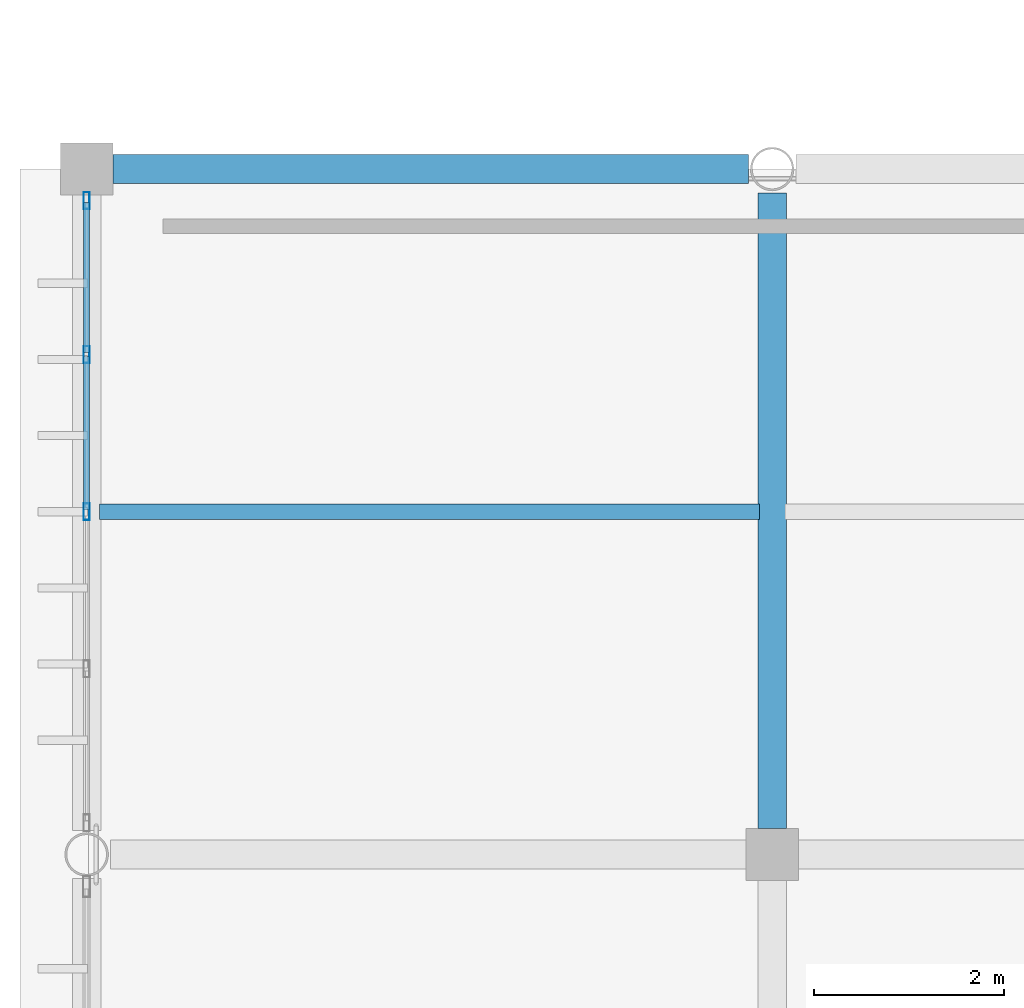
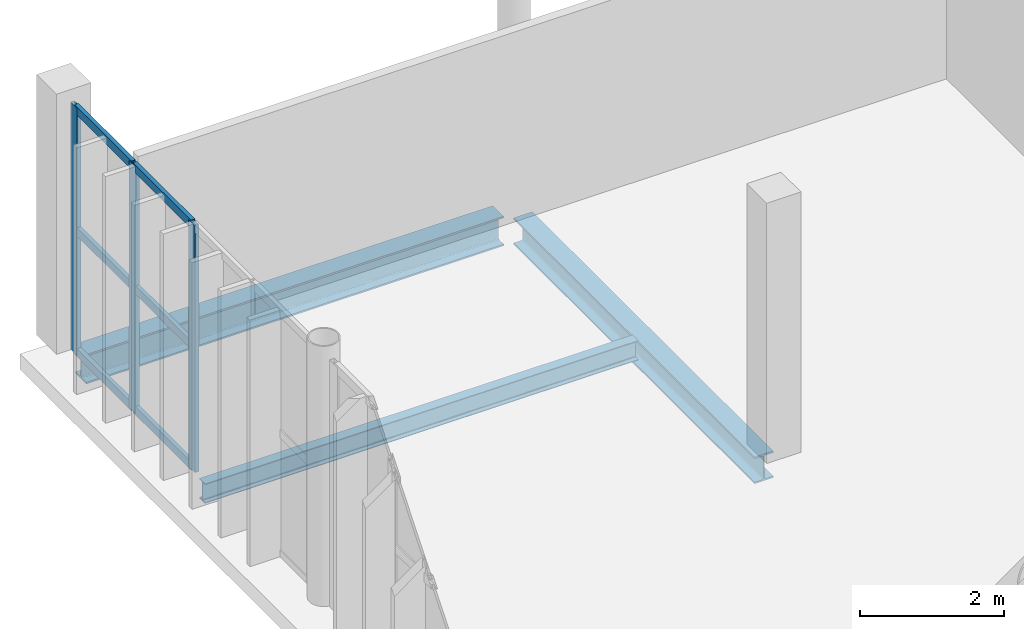
# One storey, part 40 of 81: 9 members, 3 beams, 1 element without a shape of its own.
"""IFC4 building model written with IfcOpenShell, lengths in metres."""

from ifc_helpers import new_model, si_unit, direction, frame, origin, origin_2d, place, context, subcontext, project, spatial, hollow_rectangle, i_section, extrude, material, material_profile, profile_set, type_object, element, aggregate, save


model = new_model("IFC4")

# Units and contexts
model_context = context("Model", 3, precision=1e-05, world=origin(), true_north=direction((0.0, 1.0)))
body_context = subcontext(model_context, "Body", "Model", "MODEL_VIEW")
ifc_project = project(units=[si_unit("LENGTHUNIT", "METRE"), si_unit("AREAUNIT", "SQUARE_METRE"), si_unit("VOLUMEUNIT", "CUBIC_METRE"), si_unit("PLANEANGLEUNIT", "RADIAN"), si_unit("MASSUNIT", "GRAM", prefix="KILO")], contexts=[model_context])

# Site, building, storey
site_placement = place(None, origin())
site = spatial("IfcSite", under=ifc_project, at=site_placement, CompositionType="ELEMENT")
building_placement = place(site_placement, origin())
building = spatial("IfcBuilding", under=site, at=building_placement, Name="Qandorah Velis Arena", CompositionType="ELEMENT")
storey_placement = place(building_placement, frame((0.0, 0.0, 18.60009765625)))
storey = spatial("IfcBuildingStorey", under=building, at=storey_placement, Name="L04", CompositionType="ELEMENT", Elevation=18.60009765625)

# Curtain wall, members
ifc_material_1 = material(Name="Solar-control low-E double glazing", Category="glass")
curtain_wall_type = type_object("IfcCurtainWallType", Name="ARC-CW-SYS14", PredefinedType="USERDEFINED", material=ifc_material_1)
curtain_wall_placement = place(storey_placement, origin())
curtain_wall = element("IfcCurtainWall", 1, at=curtain_wall_placement, inside=storey, type_object=curtain_wall_type, Name="Unitised curtain wall L04-038", ObjectType="UNITISED CURTAIN WALL", PredefinedType="USERDEFINED")
ifc_material_2 = material(Name="Champagne-bronze anodized aluminium 6063-T6", Category="aluminium")
ifc_material_profile_1 = material_profile(ifc_material_2, hollow_rectangle(XDim=0.06494140625, YDim=0.179931640625, WallThickness=0.00341796875, at=origin_2d()), Name="ALU MULLION 65x180")
ifc_profile_set_1 = profile_set([ifc_material_profile_1], Name="Champagne-bronze anodized aluminium 6063-T6")
member_type_1 = type_object("IfcMemberType", Name="ARC-CWM-180", PredefinedType="MULLION", material=ifc_profile_set_1)
member_1_placement = place(storey_placement, frame((0.0, 104.39990234375, -0.01513671875), z_axis=(0.0, 0.0, 1.0), x_axis=(-1.0, 0.0, 0.0)))
member_1 = element("IfcMember", 2, at=member_1_placement, type_object=member_type_1, Name="CW14 mullion 3", PredefinedType="MULLION", context=body_context, shape_type="SweptSolid", body=[
    extrude(hollow_rectangle(XDim=0.06494140625, YDim=0.179931640625, WallThickness=0.00341796875, at=origin_2d()), origin(), (0.0, 0.0, 1.0), 4.179931640625),
])
member_2_placement = place(storey_placement, frame((0.0, 106.050048828125, -0.01513671875), z_axis=(0.0, 0.0, 1.0), x_axis=(-1.0, 0.0, 0.0)))
member_2 = element("IfcMember", 3, at=member_2_placement, type_object=member_type_1, Name="CW14 mullion 4", PredefinedType="MULLION", context=body_context, shape_type="SweptSolid", body=[
    extrude(hollow_rectangle(XDim=0.06494140625, YDim=0.179931640625, WallThickness=0.00341796875, at=origin_2d()), origin(), (0.0, 0.0, 1.0), 4.179931640625),
])
member_3_placement = place(storey_placement, frame((0.0, 107.66748046875, -0.01513671875), z_axis=(0.0, 0.0, 1.0), x_axis=(-1.0, 0.0, 0.0)))
member_3 = element("IfcMember", 4, at=member_3_placement, type_object=member_type_1, Name="CW14 mullion 5", PredefinedType="MULLION", context=body_context, shape_type="SweptSolid", body=[
    extrude(hollow_rectangle(XDim=0.06494140625, YDim=0.179931640625, WallThickness=0.00341796875, at=origin_2d()), origin(), (0.0, 0.0, 1.0), 4.179931640625),
])
ifc_material_profile_2 = material_profile(ifc_material_2, hollow_rectangle(XDim=0.06494140625, YDim=0.139892578125, WallThickness=0.0029296875, at=origin_2d()), Name="ALU TRANSOM 65x140")
ifc_profile_set_2 = profile_set([ifc_material_profile_2], Name="Champagne-bronze anodized aluminium 6063-T6")
member_type_2 = type_object("IfcMemberType", Name="ARC-CWT-140", PredefinedType="USERDEFINED", material=ifc_profile_set_2)
member_4_placement = place(storey_placement, frame((0.0, 104.42041015625, 0.032470703125), z_axis=(0.0, 1.0, 0.0), x_axis=(-1.0, 0.0, 0.0)))
member_4 = element("IfcMember", 5, at=member_4_placement, type_object=member_type_2, Name="CW14 transom 3.1", ObjectType="TRANSOM", PredefinedType="USERDEFINED", context=body_context, shape_type="SweptSolid", body=[
    extrude(hollow_rectangle(XDim=0.06494140625, YDim=0.139892578125, WallThickness=0.0029296875, at=origin_2d()), origin(), (0.0, 0.0, 1.0), 1.609130859375),
])
member_5_placement = place(storey_placement, frame((0.0, 104.42041015625, 2.074951171875), z_axis=(0.0, 1.0, 0.0), x_axis=(-1.0, 0.0, 0.0)))
member_5 = element("IfcMember", 6, at=member_5_placement, type_object=member_type_2, Name="CW14 transom 3.2", ObjectType="TRANSOM", PredefinedType="USERDEFINED", context=body_context, shape_type="SweptSolid", body=[
    extrude(hollow_rectangle(XDim=0.06494140625, YDim=0.139892578125, WallThickness=0.0029296875, at=origin_2d()), origin(), (0.0, 0.0, 1.0), 1.609130859375),
])
member_6_placement = place(storey_placement, frame((0.0, 104.42041015625, 4.117431640625), z_axis=(0.0, 1.0, 0.0), x_axis=(-1.0, 0.0, 0.0)))
member_6 = element("IfcMember", 7, at=member_6_placement, type_object=member_type_2, Name="CW14 transom 3.3", ObjectType="TRANSOM", PredefinedType="USERDEFINED", context=body_context, shape_type="SweptSolid", body=[
    extrude(hollow_rectangle(XDim=0.06494140625, YDim=0.139892578125, WallThickness=0.0029296875, at=origin_2d()), origin(), (0.0, 0.0, 1.0), 1.609130859375),
])
member_7_placement = place(storey_placement, frame((0.0, 106.070556640625, 0.032470703125), z_axis=(0.0, 1.0, 0.0), x_axis=(-1.0, 0.0, 0.0)))
member_7 = element("IfcMember", 8, at=member_7_placement, type_object=member_type_2, Name="CW14 transom 4.1", ObjectType="TRANSOM", PredefinedType="USERDEFINED", context=body_context, shape_type="SweptSolid", body=[
    extrude(hollow_rectangle(XDim=0.06494140625, YDim=0.139892578125, WallThickness=0.0029296875, at=origin_2d()), origin(), (0.0, 0.0, 1.0), 1.576416015625),
])
member_8_placement = place(storey_placement, frame((0.0, 106.070556640625, 2.074951171875), z_axis=(0.0, 1.0, 0.0), x_axis=(-1.0, 0.0, 0.0)))
member_8 = element("IfcMember", 9, at=member_8_placement, type_object=member_type_2, Name="CW14 transom 4.2", ObjectType="TRANSOM", PredefinedType="USERDEFINED", context=body_context, shape_type="SweptSolid", body=[
    extrude(hollow_rectangle(XDim=0.06494140625, YDim=0.139892578125, WallThickness=0.0029296875, at=origin_2d()), origin(), (0.0, 0.0, 1.0), 1.576416015625),
])
member_9_placement = place(storey_placement, frame((0.0, 106.070556640625, 4.117431640625), z_axis=(0.0, 1.0, 0.0), x_axis=(-1.0, 0.0, 0.0)))
member_9 = element("IfcMember", 10, at=member_9_placement, type_object=member_type_2, Name="CW14 transom 4.3", ObjectType="TRANSOM", PredefinedType="USERDEFINED", context=body_context, shape_type="SweptSolid", body=[
    extrude(hollow_rectangle(XDim=0.06494140625, YDim=0.139892578125, WallThickness=0.0029296875, at=origin_2d()), origin(), (0.0, 0.0, 1.0), 1.576416015625),
])
aggregate(curtain_wall, [member_1, member_2, member_3, member_4, member_5, member_6, member_7, member_8, member_9])

# Beams
ifc_material_3 = material(Name="Steel S355", Category="steel")
ifc_material_profile_3 = material_profile(ifc_material_3, i_section(OverallWidth=0.300048828125, OverallDepth=0.449951171875, WebThickness=0.013916015625, FlangeThickness=0.02587890625, FilletRadius=0.027099609375, at=origin_2d()), Name="HEB 450")
ifc_profile_set_3 = profile_set([ifc_material_profile_3], Name="Steel S355")
beam_type_1 = type_object("IfcBeamType", Name="STR-BM-HEB450", PredefinedType="BEAM", material=ifc_profile_set_3)
beam_1_placement = place(storey_placement, frame((7.199951171875, 101.074951171875, -0.4951171875), z_axis=(0.0, 1.0, 0.0), x_axis=(-1.0, 0.0, 0.0)))
element("IfcBeam", 11, at=beam_1_placement, inside=storey, type_object=beam_type_1, Name="Primary floor girder L04 Y-169", PredefinedType="BEAM", context=body_context, shape_type="SweptSolid", body=[
    extrude(i_section(OverallWidth=0.300048828125, OverallDepth=0.449951171875, WebThickness=0.013916015625, FlangeThickness=0.02587890625, FilletRadius=0.027099609375, at=origin_2d()), origin(), (0.0, 0.0, 1.0), 6.675048828125),
])
ifc_material_profile_4 = material_profile(ifc_material_3, i_section(OverallWidth=0.300048828125, OverallDepth=0.5, WebThickness=0.014404296875, FlangeThickness=0.028076171875, FilletRadius=0.027099609375, at=origin_2d()), Name="HEB 500")
ifc_profile_set_4 = profile_set([ifc_material_profile_4], Name="Steel S355")
beam_type_2 = type_object("IfcBeamType", Name="STR-BM-HEB500", PredefinedType="BEAM", material=ifc_profile_set_4)
beam_2_placement = place(storey_placement, frame((0.27490234375, 108.0, -0.52001953125), z_axis=(1.0, 0.0, 0.0), x_axis=(0.0, 1.0, 0.0)))
element("IfcBeam", 12, at=beam_2_placement, inside=storey, type_object=beam_type_2, Name="Primary floor girder L04 X-099", PredefinedType="BEAM", context=body_context, shape_type="SweptSolid", body=[
    extrude(i_section(OverallWidth=0.300048828125, OverallDepth=0.5, WebThickness=0.014404296875, FlangeThickness=0.028076171875, FilletRadius=0.027099609375, at=origin_2d()), origin(), (0.0, 0.0, 1.0), 6.675048828125),
])
ifc_material_profile_5 = material_profile(ifc_material_3, i_section(OverallWidth=0.159912109375, OverallDepth=0.330078125, WebThickness=0.007568359375, FlangeThickness=0.011474609375, FilletRadius=0.01806640625, at=origin_2d()), Name="IPE 330")
ifc_profile_set_5 = profile_set([ifc_material_profile_5], Name="Steel S355")
beam_type_3 = type_object("IfcBeamType", Name="STR-JST-IPE330", PredefinedType="JOIST", material=ifc_profile_set_5)
beam_3_placement = place(storey_placement, frame((0.135009765625, 104.39990234375, -0.43505859375), z_axis=(1.0, 0.0, 0.0), x_axis=(0.0, 1.0, 0.0)))
element("IfcBeam", 13, at=beam_3_placement, inside=storey, type_object=beam_type_3, Name="Secondary floor joist L04-008", PredefinedType="JOIST", context=body_context, shape_type="SweptSolid", body=[
    extrude(i_section(OverallWidth=0.159912109375, OverallDepth=0.330078125, WebThickness=0.007568359375, FlangeThickness=0.011474609375, FilletRadius=0.01806640625, at=origin_2d()), origin(), (0.0, 0.0, 1.0), 6.929931640625),
])

save(model, "model.ifc")
